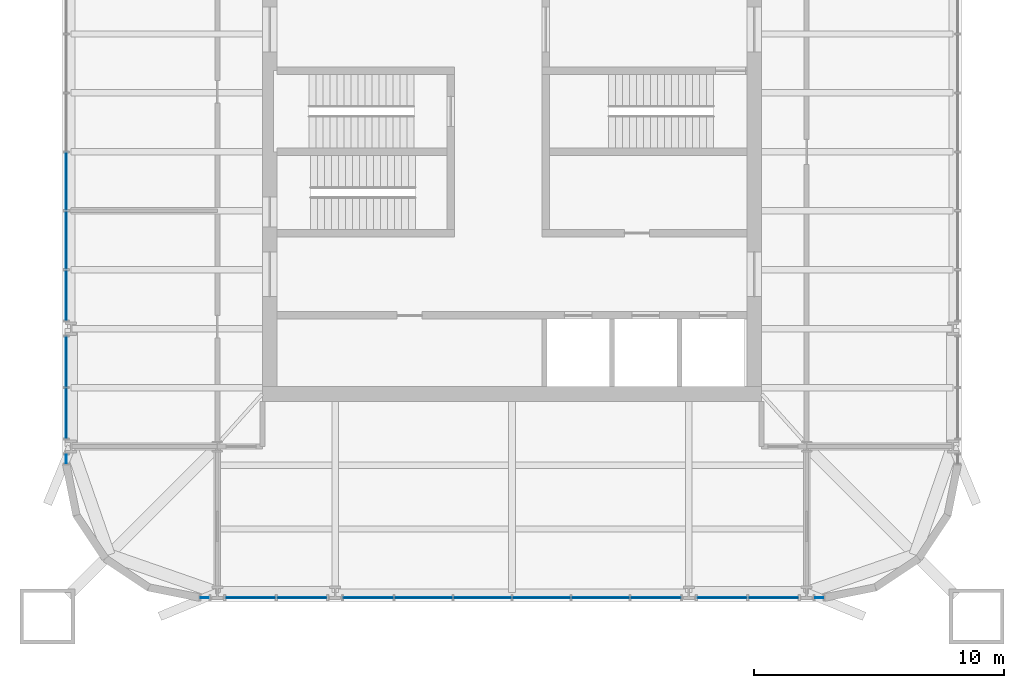
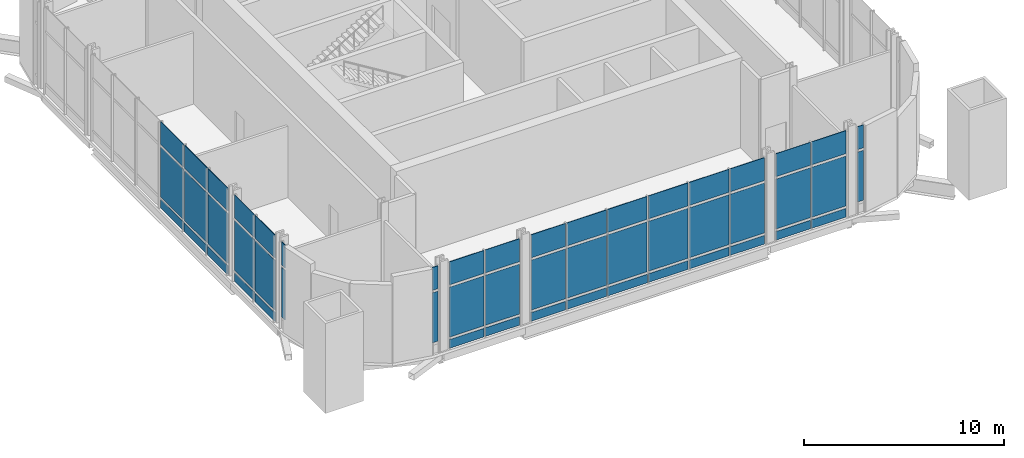
# One storey, part 8 of 17: 51 plates, 8 elements without a shape of their own.
"""IFC4 building model written with IfcOpenShell, lengths in metres."""

from ifc_helpers import new_model, si_unit, direction, frame, origin, origin_2d, place, context, subcontext, project, spatial, rectangle, extrude, material, layer, layer_set, type_object, element, aggregate, save


model = new_model("IFC4")

# Units and contexts
model_context = context("Model", 3, precision=1e-05, world=origin(), true_north=direction((0.0, 1.0)))
body_context = subcontext(model_context, "Body", "Model", "MODEL_VIEW")
ifc_project = project(units=[si_unit("LENGTHUNIT", "METRE"), si_unit("AREAUNIT", "SQUARE_METRE"), si_unit("VOLUMEUNIT", "CUBIC_METRE"), si_unit("PLANEANGLEUNIT", "RADIAN"), si_unit("MASSUNIT", "GRAM", prefix="KILO")], contexts=[model_context])

# Site, building, storey
site_placement = place(None, origin())
site = spatial("IfcSite", under=ifc_project, at=site_placement, CompositionType="ELEMENT")
building_placement = place(site_placement, origin())
building = spatial("IfcBuilding", under=site, at=building_placement, Name="Turquesa Mirador Hotel Tower", CompositionType="ELEMENT")
storey_placement = place(building_placement, frame((0.0, 0.0, 266.699951171875)))
storey = spatial("IfcBuildingStorey", under=building, at=storey_placement, Name="L72", CompositionType="ELEMENT", Elevation=266.699951171875)

# Curtain wall, plates
ifc_material_1 = material(Name="Aluminium extrusion", Category="aluminium")
curtain_wall_type = type_object("IfcCurtainWallType", Name="CW-6 OBSERVATION CURTAIN WALL", PredefinedType="USERDEFINED", material=ifc_material_1)
curtain_wall_1_placement = place(storey_placement, origin())
curtain_wall_1 = element("IfcCurtainWall", 1, at=curtain_wall_1_placement, inside=storey, type_object=curtain_wall_type, Name="CW-6 OBSERVATION CURTAIN WALL L72", ObjectType="CURTAIN WALL", PredefinedType="USERDEFINED")
ifc_material_2 = material(Name="Ceramic-printed spandrel glass on an insulated back pan", Category="glass")
ifc_layer_1 = layer(ifc_material_2, 0.050048828125)
ifc_layer_set_1 = layer_set([ifc_layer_1], Name="CW PANEL SPANDREL CERAMIC")
plate_type_1 = type_object("IfcPlateType", Name="CW PANEL SPANDREL CERAMIC", PredefinedType="CURTAIN_PANEL", material=ifc_layer_set_1)
plate_1_placement = place(storey_placement, frame((37.14990234375, 43.820068359375, 0.0), z_axis=(0.0, 0.0, 1.0), x_axis=(0.0, -1.0, 0.0)))
plate_1 = element("IfcPlate", 2, at=plate_1_placement, type_object=plate_type_1, Name="Panel", PredefinedType="CURTAIN_PANEL", context=body_context, shape_type="SweptSolid", body=[
    extrude(rectangle(XDim=2.294921875, YDim=0.050048828125, at=origin_2d()), origin(), (0.0, 0.0, 1.0), 0.52490234375),
])
plate_2_placement = place(storey_placement, frame((37.14990234375, 41.4599609375, 0.0), z_axis=(0.0, 0.0, 1.0), x_axis=(0.0, -1.0, 0.0)))
plate_2 = element("IfcPlate", 3, at=plate_2_placement, type_object=plate_type_1, Name="Panel", PredefinedType="CURTAIN_PANEL", context=body_context, shape_type="SweptSolid", body=[
    extrude(rectangle(XDim=2.294921875, YDim=0.050048828125, at=origin_2d()), origin(), (0.0, 0.0, 1.0), 0.52490234375),
])
plate_3_placement = place(storey_placement, frame((37.14990234375, 39.25, 0.0), z_axis=(0.0, 0.0, 1.0), x_axis=(0.0, -1.0, 0.0)))
plate_3 = element("IfcPlate", 4, at=plate_3_placement, type_object=plate_type_1, Name="Panel", PredefinedType="CURTAIN_PANEL", context=body_context, shape_type="SweptSolid", body=[
    extrude(rectangle(XDim=1.9951171875, YDim=0.050048828125, at=origin_2d()), origin(), (0.0, 0.0, 1.0), 0.52490234375),
])

curtain_wall_2_placement = place(storey_placement, origin())
curtain_wall_2 = element("IfcCurtainWall", 5, at=curtain_wall_2_placement, inside=storey, type_object=curtain_wall_type, Name="CW-6 OBSERVATION CURTAIN WALL L72", ObjectType="CURTAIN WALL", PredefinedType="USERDEFINED")
plate_4_placement = place(storey_placement, frame((37.14990234375, 36.590087890625, 0.0), z_axis=(0.0, 0.0, 1.0), x_axis=(0.0, -1.0, 0.0)))
plate_4 = element("IfcPlate", 6, at=plate_4_placement, type_object=plate_type_1, Name="Panel", PredefinedType="CURTAIN_PANEL", context=body_context, shape_type="SweptSolid", body=[
    extrude(rectangle(XDim=1.9951171875, YDim=0.050048828125, at=origin_2d()), origin(), (0.0, 0.0, 1.0), 0.52490234375),
])
plate_5_placement = place(storey_placement, frame((37.14990234375, 34.530029296875, 0.0), z_axis=(0.0, 0.0, 1.0), x_axis=(0.0, -1.0, 0.0)))
plate_5 = element("IfcPlate", 7, at=plate_5_placement, type_object=plate_type_1, Name="Panel", PredefinedType="CURTAIN_PANEL", context=body_context, shape_type="SweptSolid", body=[
    extrude(rectangle(XDim=1.9951171875, YDim=0.050048828125, at=origin_2d()), origin(), (0.0, 0.0, 1.0), 0.52490234375),
])

curtain_wall_3_placement = place(storey_placement, origin())
curtain_wall_3 = element("IfcCurtainWall", 8, at=curtain_wall_3_placement, inside=storey, type_object=curtain_wall_type, Name="CW-6 OBSERVATION CURTAIN WALL L72", ObjectType="CURTAIN WALL", PredefinedType="USERDEFINED")
plate_6_placement = place(storey_placement, frame((44.530029296875, 27.14990234375, 0.0), z_axis=(0.0, 0.0, 1.0), x_axis=(1.0, 0.0, 0.0)))
plate_6 = element("IfcPlate", 9, at=plate_6_placement, type_object=plate_type_1, Name="Panel", PredefinedType="CURTAIN_PANEL", context=body_context, shape_type="SweptSolid", body=[
    extrude(rectangle(XDim=1.9951171875, YDim=0.050048828125, at=origin_2d()), origin(), (0.0, 0.0, 1.0), 0.52490234375),
])
plate_7_placement = place(storey_placement, frame((46.590087890625, 27.14990234375, 0.0), z_axis=(0.0, 0.0, 1.0), x_axis=(1.0, 0.0, 0.0)))
plate_7 = element("IfcPlate", 10, at=plate_7_placement, type_object=plate_type_1, Name="Panel", PredefinedType="CURTAIN_PANEL", context=body_context, shape_type="SweptSolid", body=[
    extrude(rectangle(XDim=1.9951171875, YDim=0.050048828125, at=origin_2d()), origin(), (0.0, 0.0, 1.0), 0.52490234375),
])

curtain_wall_4_placement = place(storey_placement, origin())
curtain_wall_4 = element("IfcCurtainWall", 11, at=curtain_wall_4_placement, inside=storey, type_object=curtain_wall_type, Name="CW-6 OBSERVATION CURTAIN WALL L72", ObjectType="CURTAIN WALL", PredefinedType="USERDEFINED")
plate_8_placement = place(storey_placement, frame((49.25, 27.14990234375, 0.0), z_axis=(0.0, 0.0, 1.0), x_axis=(1.0, 0.0, 0.0)))
plate_8 = element("IfcPlate", 12, at=plate_8_placement, type_object=plate_type_1, Name="Panel", PredefinedType="CURTAIN_PANEL", context=body_context, shape_type="SweptSolid", body=[
    extrude(rectangle(XDim=1.9951171875, YDim=0.050048828125, at=origin_2d()), origin(), (0.0, 0.0, 1.0), 0.52490234375),
])
plate_9_placement = place(storey_placement, frame((51.4599609375, 27.14990234375, 0.0), z_axis=(0.0, 0.0, 1.0), x_axis=(1.0, 0.0, 0.0)))
plate_9 = element("IfcPlate", 13, at=plate_9_placement, type_object=plate_type_1, Name="Panel", PredefinedType="CURTAIN_PANEL", context=body_context, shape_type="SweptSolid", body=[
    extrude(rectangle(XDim=2.294921875, YDim=0.050048828125, at=origin_2d()), origin(), (0.0, 0.0, 1.0), 0.52490234375),
])
plate_10_placement = place(storey_placement, frame((53.820068359375, 27.14990234375, 0.0), z_axis=(0.0, 0.0, 1.0), x_axis=(1.0, 0.0, 0.0)))
plate_10 = element("IfcPlate", 14, at=plate_10_placement, type_object=plate_type_1, Name="Panel", PredefinedType="CURTAIN_PANEL", context=body_context, shape_type="SweptSolid", body=[
    extrude(rectangle(XDim=2.294921875, YDim=0.050048828125, at=origin_2d()), origin(), (0.0, 0.0, 1.0), 0.52490234375),
])
plate_11_placement = place(storey_placement, frame((56.179931640625, 27.14990234375, 0.0), z_axis=(0.0, 0.0, 1.0), x_axis=(1.0, 0.0, 0.0)))
plate_11 = element("IfcPlate", 15, at=plate_11_placement, type_object=plate_type_1, Name="Panel", PredefinedType="CURTAIN_PANEL", context=body_context, shape_type="SweptSolid", body=[
    extrude(rectangle(XDim=2.294921875, YDim=0.050048828125, at=origin_2d()), origin(), (0.0, 0.0, 1.0), 0.52490234375),
])
plate_12_placement = place(storey_placement, frame((58.5400390625, 27.14990234375, 0.0), z_axis=(0.0, 0.0, 1.0), x_axis=(1.0, 0.0, 0.0)))
plate_12 = element("IfcPlate", 16, at=plate_12_placement, type_object=plate_type_1, Name="Panel", PredefinedType="CURTAIN_PANEL", context=body_context, shape_type="SweptSolid", body=[
    extrude(rectangle(XDim=2.294921875, YDim=0.050048828125, at=origin_2d()), origin(), (0.0, 0.0, 1.0), 0.52490234375),
])
plate_13_placement = place(storey_placement, frame((60.75, 27.14990234375, 0.0), z_axis=(0.0, 0.0, 1.0), x_axis=(1.0, 0.0, 0.0)))
plate_13 = element("IfcPlate", 17, at=plate_13_placement, type_object=plate_type_1, Name="Panel", PredefinedType="CURTAIN_PANEL", context=body_context, shape_type="SweptSolid", body=[
    extrude(rectangle(XDim=1.9951171875, YDim=0.050048828125, at=origin_2d()), origin(), (0.0, 0.0, 1.0), 0.52490234375),
])

curtain_wall_5_placement = place(storey_placement, origin())
curtain_wall_5 = element("IfcCurtainWall", 18, at=curtain_wall_5_placement, inside=storey, type_object=curtain_wall_type, Name="CW-6 OBSERVATION CURTAIN WALL L72", ObjectType="CURTAIN WALL", PredefinedType="USERDEFINED")
plate_14_placement = place(storey_placement, frame((63.409912109375, 27.14990234375, 0.0), z_axis=(0.0, 0.0, 1.0), x_axis=(1.0, 0.0, 0.0)))
plate_14 = element("IfcPlate", 19, at=plate_14_placement, type_object=plate_type_1, Name="Panel", PredefinedType="CURTAIN_PANEL", context=body_context, shape_type="SweptSolid", body=[
    extrude(rectangle(XDim=1.9951171875, YDim=0.050048828125, at=origin_2d()), origin(), (0.0, 0.0, 1.0), 0.52490234375),
])
plate_15_placement = place(storey_placement, frame((65.469970703125, 27.14990234375, 0.0), z_axis=(0.0, 0.0, 1.0), x_axis=(1.0, 0.0, 0.0)))
plate_15 = element("IfcPlate", 20, at=plate_15_placement, type_object=plate_type_1, Name="Panel", PredefinedType="CURTAIN_PANEL", context=body_context, shape_type="SweptSolid", body=[
    extrude(rectangle(XDim=1.9951171875, YDim=0.050048828125, at=origin_2d()), origin(), (0.0, 0.0, 1.0), 0.52490234375),
])

# Plate
ifc_material_3 = material(Name="Ceramic-fritted laminated glass", Category="glass")
ifc_layer_2 = layer(ifc_material_3, 0.031982421875)
ifc_layer_set_2 = layer_set([ifc_layer_2], Name="CW PANEL VISION FRITTED")
plate_type_2 = type_object("IfcPlateType", Name="CW PANEL VISION FRITTED", PredefinedType="CURTAIN_PANEL", material=ifc_layer_set_2)
plate_16_placement = place(storey_placement, frame((37.14990234375, 43.820068359375, 0.6748046875), z_axis=(0.0, 0.0, 1.0), x_axis=(0.0, -1.0, 0.0)))
plate_16 = element("IfcPlate", 21, at=plate_16_placement, type_object=plate_type_2, Name="Panel", PredefinedType="CURTAIN_PANEL", context=body_context, shape_type="SweptSolid", body=[
    extrude(rectangle(XDim=2.294921875, YDim=0.031982421875, at=origin_2d()), origin(), (0.0, 0.0, 1.0), 3.050048828125),
])

plate_17_placement = place(storey_placement, frame((37.14990234375, 43.820068359375, 3.875), z_axis=(0.0, 0.0, 1.0), x_axis=(0.0, -1.0, 0.0)))
plate_17 = element("IfcPlate", 22, at=plate_17_placement, type_object=plate_type_2, Name="Panel", PredefinedType="CURTAIN_PANEL", context=body_context, shape_type="SweptSolid", body=[
    extrude(rectangle(XDim=2.294921875, YDim=0.031982421875, at=origin_2d()), origin(), (0.0, 0.0, 1.0), 1.405029296875),
])

plate_18_placement = place(storey_placement, frame((37.14990234375, 41.4599609375, 0.6748046875), z_axis=(0.0, 0.0, 1.0), x_axis=(0.0, -1.0, 0.0)))
plate_18 = element("IfcPlate", 23, at=plate_18_placement, type_object=plate_type_2, Name="Panel", PredefinedType="CURTAIN_PANEL", context=body_context, shape_type="SweptSolid", body=[
    extrude(rectangle(XDim=2.294921875, YDim=0.031982421875, at=origin_2d()), origin(), (0.0, 0.0, 1.0), 3.050048828125),
])

plate_19_placement = place(storey_placement, frame((37.14990234375, 41.4599609375, 3.875), z_axis=(0.0, 0.0, 1.0), x_axis=(0.0, -1.0, 0.0)))
plate_19 = element("IfcPlate", 24, at=plate_19_placement, type_object=plate_type_2, Name="Panel", PredefinedType="CURTAIN_PANEL", context=body_context, shape_type="SweptSolid", body=[
    extrude(rectangle(XDim=2.294921875, YDim=0.031982421875, at=origin_2d()), origin(), (0.0, 0.0, 1.0), 1.405029296875),
])

plate_20_placement = place(storey_placement, frame((37.14990234375, 39.25, 0.6748046875), z_axis=(0.0, 0.0, 1.0), x_axis=(0.0, -1.0, 0.0)))
plate_20 = element("IfcPlate", 25, at=plate_20_placement, type_object=plate_type_2, Name="Panel", PredefinedType="CURTAIN_PANEL", context=body_context, shape_type="SweptSolid", body=[
    extrude(rectangle(XDim=1.9951171875, YDim=0.031982421875, at=origin_2d()), origin(), (0.0, 0.0, 1.0), 3.050048828125),
])

plate_21_placement = place(storey_placement, frame((37.14990234375, 39.25, 3.875), z_axis=(0.0, 0.0, 1.0), x_axis=(0.0, -1.0, 0.0)))
plate_21 = element("IfcPlate", 26, at=plate_21_placement, type_object=plate_type_2, Name="Panel", PredefinedType="CURTAIN_PANEL", context=body_context, shape_type="SweptSolid", body=[
    extrude(rectangle(XDim=1.9951171875, YDim=0.031982421875, at=origin_2d()), origin(), (0.0, 0.0, 1.0), 1.405029296875),
])

aggregate(curtain_wall_1, [plate_1, plate_16, plate_17, plate_2, plate_18, plate_19, plate_3, plate_20, plate_21])

plate_22_placement = place(storey_placement, frame((37.14990234375, 36.590087890625, 0.6748046875), z_axis=(0.0, 0.0, 1.0), x_axis=(0.0, -1.0, 0.0)))
plate_22 = element("IfcPlate", 27, at=plate_22_placement, type_object=plate_type_2, Name="Panel", PredefinedType="CURTAIN_PANEL", context=body_context, shape_type="SweptSolid", body=[
    extrude(rectangle(XDim=1.9951171875, YDim=0.031982421875, at=origin_2d()), origin(), (0.0, 0.0, 1.0), 3.050048828125),
])

plate_23_placement = place(storey_placement, frame((37.14990234375, 36.590087890625, 3.875), z_axis=(0.0, 0.0, 1.0), x_axis=(0.0, -1.0, 0.0)))
plate_23 = element("IfcPlate", 28, at=plate_23_placement, type_object=plate_type_2, Name="Panel", PredefinedType="CURTAIN_PANEL", context=body_context, shape_type="SweptSolid", body=[
    extrude(rectangle(XDim=1.9951171875, YDim=0.031982421875, at=origin_2d()), origin(), (0.0, 0.0, 1.0), 1.405029296875),
])

plate_24_placement = place(storey_placement, frame((37.14990234375, 34.530029296875, 0.6748046875), z_axis=(0.0, 0.0, 1.0), x_axis=(0.0, -1.0, 0.0)))
plate_24 = element("IfcPlate", 29, at=plate_24_placement, type_object=plate_type_2, Name="Panel", PredefinedType="CURTAIN_PANEL", context=body_context, shape_type="SweptSolid", body=[
    extrude(rectangle(XDim=1.9951171875, YDim=0.031982421875, at=origin_2d()), origin(), (0.0, 0.0, 1.0), 3.050048828125),
])

plate_25_placement = place(storey_placement, frame((37.14990234375, 34.530029296875, 3.875), z_axis=(0.0, 0.0, 1.0), x_axis=(0.0, -1.0, 0.0)))
plate_25 = element("IfcPlate", 30, at=plate_25_placement, type_object=plate_type_2, Name="Panel", PredefinedType="CURTAIN_PANEL", context=body_context, shape_type="SweptSolid", body=[
    extrude(rectangle(XDim=1.9951171875, YDim=0.031982421875, at=origin_2d()), origin(), (0.0, 0.0, 1.0), 1.405029296875),
])

aggregate(curtain_wall_2, [plate_4, plate_22, plate_23, plate_5, plate_24, plate_25])

# Curtain wall, plates
curtain_wall_6_placement = place(storey_placement, origin())
curtain_wall_6 = element("IfcCurtainWall", 31, at=curtain_wall_6_placement, inside=storey, type_object=curtain_wall_type, Name="CW-6 OBSERVATION CURTAIN WALL L72", ObjectType="CURTAIN WALL", PredefinedType="USERDEFINED")
plate_26_placement = place(storey_placement, frame((37.14990234375, 32.699951171875, 0.6748046875), z_axis=(0.0, 0.0, 1.0), x_axis=(0.0, -1.0, 0.0)))
plate_26 = element("IfcPlate", 32, at=plate_26_placement, type_object=plate_type_2, Name="Panel", PredefinedType="CURTAIN_PANEL", context=body_context, shape_type="SweptSolid", body=[
    extrude(rectangle(XDim=0.3349609375, YDim=0.031982421875, at=origin_2d()), origin(), (0.0, 0.0, 1.0), 3.050048828125),
])
plate_27_placement = place(storey_placement, frame((37.14990234375, 32.699951171875, 3.875), z_axis=(0.0, 0.0, 1.0), x_axis=(0.0, -1.0, 0.0)))
plate_27 = element("IfcPlate", 33, at=plate_27_placement, type_object=plate_type_2, Name="Panel", PredefinedType="CURTAIN_PANEL", context=body_context, shape_type="SweptSolid", body=[
    extrude(rectangle(XDim=0.3349609375, YDim=0.031982421875, at=origin_2d()), origin(), (0.0, 0.0, 1.0), 1.405029296875),
])
aggregate(curtain_wall_6, [plate_26, plate_27])

curtain_wall_7_placement = place(storey_placement, origin())
curtain_wall_7 = element("IfcCurtainWall", 34, at=curtain_wall_7_placement, inside=storey, type_object=curtain_wall_type, Name="CW-6 OBSERVATION CURTAIN WALL L72", ObjectType="CURTAIN WALL", PredefinedType="USERDEFINED")
plate_28_placement = place(storey_placement, frame((42.699951171875, 27.14990234375, 0.6748046875), z_axis=(0.0, 0.0, 1.0), x_axis=(1.0, 0.0, 0.0)))
plate_28 = element("IfcPlate", 35, at=plate_28_placement, type_object=plate_type_2, Name="Panel", PredefinedType="CURTAIN_PANEL", context=body_context, shape_type="SweptSolid", body=[
    extrude(rectangle(XDim=0.3349609375, YDim=0.031982421875, at=origin_2d()), origin(), (0.0, 0.0, 1.0), 3.050048828125),
])
plate_29_placement = place(storey_placement, frame((42.699951171875, 27.14990234375, 3.875), z_axis=(0.0, 0.0, 1.0), x_axis=(1.0, 0.0, 0.0)))
plate_29 = element("IfcPlate", 36, at=plate_29_placement, type_object=plate_type_2, Name="Panel", PredefinedType="CURTAIN_PANEL", context=body_context, shape_type="SweptSolid", body=[
    extrude(rectangle(XDim=0.3349609375, YDim=0.031982421875, at=origin_2d()), origin(), (0.0, 0.0, 1.0), 1.405029296875),
])
aggregate(curtain_wall_7, [plate_28, plate_29])

# Plate
plate_30_placement = place(storey_placement, frame((44.530029296875, 27.14990234375, 0.6748046875), z_axis=(0.0, 0.0, 1.0), x_axis=(1.0, 0.0, 0.0)))
plate_30 = element("IfcPlate", 37, at=plate_30_placement, type_object=plate_type_2, Name="Panel", PredefinedType="CURTAIN_PANEL", context=body_context, shape_type="SweptSolid", body=[
    extrude(rectangle(XDim=1.9951171875, YDim=0.031982421875, at=origin_2d()), origin(), (0.0, 0.0, 1.0), 3.050048828125),
])

plate_31_placement = place(storey_placement, frame((44.530029296875, 27.14990234375, 3.875), z_axis=(0.0, 0.0, 1.0), x_axis=(1.0, 0.0, 0.0)))
plate_31 = element("IfcPlate", 38, at=plate_31_placement, type_object=plate_type_2, Name="Panel", PredefinedType="CURTAIN_PANEL", context=body_context, shape_type="SweptSolid", body=[
    extrude(rectangle(XDim=1.9951171875, YDim=0.031982421875, at=origin_2d()), origin(), (0.0, 0.0, 1.0), 1.405029296875),
])

plate_32_placement = place(storey_placement, frame((46.590087890625, 27.14990234375, 0.6748046875), z_axis=(0.0, 0.0, 1.0), x_axis=(1.0, 0.0, 0.0)))
plate_32 = element("IfcPlate", 39, at=plate_32_placement, type_object=plate_type_2, Name="Panel", PredefinedType="CURTAIN_PANEL", context=body_context, shape_type="SweptSolid", body=[
    extrude(rectangle(XDim=1.9951171875, YDim=0.031982421875, at=origin_2d()), origin(), (0.0, 0.0, 1.0), 3.050048828125),
])

plate_33_placement = place(storey_placement, frame((46.590087890625, 27.14990234375, 3.875), z_axis=(0.0, 0.0, 1.0), x_axis=(1.0, 0.0, 0.0)))
plate_33 = element("IfcPlate", 40, at=plate_33_placement, type_object=plate_type_2, Name="Panel", PredefinedType="CURTAIN_PANEL", context=body_context, shape_type="SweptSolid", body=[
    extrude(rectangle(XDim=1.9951171875, YDim=0.031982421875, at=origin_2d()), origin(), (0.0, 0.0, 1.0), 1.405029296875),
])

aggregate(curtain_wall_3, [plate_6, plate_30, plate_31, plate_7, plate_32, plate_33])

plate_34_placement = place(storey_placement, frame((49.25, 27.14990234375, 0.6748046875), z_axis=(0.0, 0.0, 1.0), x_axis=(1.0, 0.0, 0.0)))
plate_34 = element("IfcPlate", 41, at=plate_34_placement, type_object=plate_type_2, Name="Panel", PredefinedType="CURTAIN_PANEL", context=body_context, shape_type="SweptSolid", body=[
    extrude(rectangle(XDim=1.9951171875, YDim=0.031982421875, at=origin_2d()), origin(), (0.0, 0.0, 1.0), 3.050048828125),
])

plate_35_placement = place(storey_placement, frame((49.25, 27.14990234375, 3.875), z_axis=(0.0, 0.0, 1.0), x_axis=(1.0, 0.0, 0.0)))
plate_35 = element("IfcPlate", 42, at=plate_35_placement, type_object=plate_type_2, Name="Panel", PredefinedType="CURTAIN_PANEL", context=body_context, shape_type="SweptSolid", body=[
    extrude(rectangle(XDim=1.9951171875, YDim=0.031982421875, at=origin_2d()), origin(), (0.0, 0.0, 1.0), 1.405029296875),
])

plate_36_placement = place(storey_placement, frame((51.4599609375, 27.14990234375, 0.6748046875), z_axis=(0.0, 0.0, 1.0), x_axis=(1.0, 0.0, 0.0)))
plate_36 = element("IfcPlate", 43, at=plate_36_placement, type_object=plate_type_2, Name="Panel", PredefinedType="CURTAIN_PANEL", context=body_context, shape_type="SweptSolid", body=[
    extrude(rectangle(XDim=2.294921875, YDim=0.031982421875, at=origin_2d()), origin(), (0.0, 0.0, 1.0), 3.050048828125),
])

plate_37_placement = place(storey_placement, frame((51.4599609375, 27.14990234375, 3.875), z_axis=(0.0, 0.0, 1.0), x_axis=(1.0, 0.0, 0.0)))
plate_37 = element("IfcPlate", 44, at=plate_37_placement, type_object=plate_type_2, Name="Panel", PredefinedType="CURTAIN_PANEL", context=body_context, shape_type="SweptSolid", body=[
    extrude(rectangle(XDim=2.294921875, YDim=0.031982421875, at=origin_2d()), origin(), (0.0, 0.0, 1.0), 1.405029296875),
])

plate_38_placement = place(storey_placement, frame((53.820068359375, 27.14990234375, 0.6748046875), z_axis=(0.0, 0.0, 1.0), x_axis=(1.0, 0.0, 0.0)))
plate_38 = element("IfcPlate", 45, at=plate_38_placement, type_object=plate_type_2, Name="Panel", PredefinedType="CURTAIN_PANEL", context=body_context, shape_type="SweptSolid", body=[
    extrude(rectangle(XDim=2.294921875, YDim=0.031982421875, at=origin_2d()), origin(), (0.0, 0.0, 1.0), 3.050048828125),
])

plate_39_placement = place(storey_placement, frame((53.820068359375, 27.14990234375, 3.875), z_axis=(0.0, 0.0, 1.0), x_axis=(1.0, 0.0, 0.0)))
plate_39 = element("IfcPlate", 46, at=plate_39_placement, type_object=plate_type_2, Name="Panel", PredefinedType="CURTAIN_PANEL", context=body_context, shape_type="SweptSolid", body=[
    extrude(rectangle(XDim=2.294921875, YDim=0.031982421875, at=origin_2d()), origin(), (0.0, 0.0, 1.0), 1.405029296875),
])

plate_40_placement = place(storey_placement, frame((56.179931640625, 27.14990234375, 0.6748046875), z_axis=(0.0, 0.0, 1.0), x_axis=(1.0, 0.0, 0.0)))
plate_40 = element("IfcPlate", 47, at=plate_40_placement, type_object=plate_type_2, Name="Panel", PredefinedType="CURTAIN_PANEL", context=body_context, shape_type="SweptSolid", body=[
    extrude(rectangle(XDim=2.294921875, YDim=0.031982421875, at=origin_2d()), origin(), (0.0, 0.0, 1.0), 3.050048828125),
])

plate_41_placement = place(storey_placement, frame((56.179931640625, 27.14990234375, 3.875), z_axis=(0.0, 0.0, 1.0), x_axis=(1.0, 0.0, 0.0)))
plate_41 = element("IfcPlate", 48, at=plate_41_placement, type_object=plate_type_2, Name="Panel", PredefinedType="CURTAIN_PANEL", context=body_context, shape_type="SweptSolid", body=[
    extrude(rectangle(XDim=2.294921875, YDim=0.031982421875, at=origin_2d()), origin(), (0.0, 0.0, 1.0), 1.405029296875),
])

plate_42_placement = place(storey_placement, frame((58.5400390625, 27.14990234375, 0.6748046875), z_axis=(0.0, 0.0, 1.0), x_axis=(1.0, 0.0, 0.0)))
plate_42 = element("IfcPlate", 49, at=plate_42_placement, type_object=plate_type_2, Name="Panel", PredefinedType="CURTAIN_PANEL", context=body_context, shape_type="SweptSolid", body=[
    extrude(rectangle(XDim=2.294921875, YDim=0.031982421875, at=origin_2d()), origin(), (0.0, 0.0, 1.0), 3.050048828125),
])

plate_43_placement = place(storey_placement, frame((58.5400390625, 27.14990234375, 3.875), z_axis=(0.0, 0.0, 1.0), x_axis=(1.0, 0.0, 0.0)))
plate_43 = element("IfcPlate", 50, at=plate_43_placement, type_object=plate_type_2, Name="Panel", PredefinedType="CURTAIN_PANEL", context=body_context, shape_type="SweptSolid", body=[
    extrude(rectangle(XDim=2.294921875, YDim=0.031982421875, at=origin_2d()), origin(), (0.0, 0.0, 1.0), 1.405029296875),
])

plate_44_placement = place(storey_placement, frame((60.75, 27.14990234375, 0.6748046875), z_axis=(0.0, 0.0, 1.0), x_axis=(1.0, 0.0, 0.0)))
plate_44 = element("IfcPlate", 51, at=plate_44_placement, type_object=plate_type_2, Name="Panel", PredefinedType="CURTAIN_PANEL", context=body_context, shape_type="SweptSolid", body=[
    extrude(rectangle(XDim=1.9951171875, YDim=0.031982421875, at=origin_2d()), origin(), (0.0, 0.0, 1.0), 3.050048828125),
])

plate_45_placement = place(storey_placement, frame((60.75, 27.14990234375, 3.875), z_axis=(0.0, 0.0, 1.0), x_axis=(1.0, 0.0, 0.0)))
plate_45 = element("IfcPlate", 52, at=plate_45_placement, type_object=plate_type_2, Name="Panel", PredefinedType="CURTAIN_PANEL", context=body_context, shape_type="SweptSolid", body=[
    extrude(rectangle(XDim=1.9951171875, YDim=0.031982421875, at=origin_2d()), origin(), (0.0, 0.0, 1.0), 1.405029296875),
])

aggregate(curtain_wall_4, [plate_8, plate_34, plate_35, plate_9, plate_36, plate_37, plate_10, plate_38, plate_39, plate_11, plate_40, plate_41, plate_12, plate_42, plate_43, plate_13, plate_44, plate_45])

plate_46_placement = place(storey_placement, frame((63.409912109375, 27.14990234375, 0.6748046875), z_axis=(0.0, 0.0, 1.0), x_axis=(1.0, 0.0, 0.0)))
plate_46 = element("IfcPlate", 53, at=plate_46_placement, type_object=plate_type_2, Name="Panel", PredefinedType="CURTAIN_PANEL", context=body_context, shape_type="SweptSolid", body=[
    extrude(rectangle(XDim=1.9951171875, YDim=0.031982421875, at=origin_2d()), origin(), (0.0, 0.0, 1.0), 3.050048828125),
])

plate_47_placement = place(storey_placement, frame((63.409912109375, 27.14990234375, 3.875), z_axis=(0.0, 0.0, 1.0), x_axis=(1.0, 0.0, 0.0)))
plate_47 = element("IfcPlate", 54, at=plate_47_placement, type_object=plate_type_2, Name="Panel", PredefinedType="CURTAIN_PANEL", context=body_context, shape_type="SweptSolid", body=[
    extrude(rectangle(XDim=1.9951171875, YDim=0.031982421875, at=origin_2d()), origin(), (0.0, 0.0, 1.0), 1.405029296875),
])

plate_48_placement = place(storey_placement, frame((65.469970703125, 27.14990234375, 0.6748046875), z_axis=(0.0, 0.0, 1.0), x_axis=(1.0, 0.0, 0.0)))
plate_48 = element("IfcPlate", 55, at=plate_48_placement, type_object=plate_type_2, Name="Panel", PredefinedType="CURTAIN_PANEL", context=body_context, shape_type="SweptSolid", body=[
    extrude(rectangle(XDim=1.9951171875, YDim=0.031982421875, at=origin_2d()), origin(), (0.0, 0.0, 1.0), 3.050048828125),
])

plate_49_placement = place(storey_placement, frame((65.469970703125, 27.14990234375, 3.875), z_axis=(0.0, 0.0, 1.0), x_axis=(1.0, 0.0, 0.0)))
plate_49 = element("IfcPlate", 56, at=plate_49_placement, type_object=plate_type_2, Name="Panel", PredefinedType="CURTAIN_PANEL", context=body_context, shape_type="SweptSolid", body=[
    extrude(rectangle(XDim=1.9951171875, YDim=0.031982421875, at=origin_2d()), origin(), (0.0, 0.0, 1.0), 1.405029296875),
])

aggregate(curtain_wall_5, [plate_14, plate_46, plate_47, plate_15, plate_48, plate_49])

# Curtain wall, plates
curtain_wall_8_placement = place(storey_placement, origin())
curtain_wall_8 = element("IfcCurtainWall", 57, at=curtain_wall_8_placement, inside=storey, type_object=curtain_wall_type, Name="CW-6 OBSERVATION CURTAIN WALL L72", ObjectType="CURTAIN WALL", PredefinedType="USERDEFINED")
plate_50_placement = place(storey_placement, frame((67.300048828125, 27.14990234375, 0.6748046875), z_axis=(0.0, 0.0, 1.0), x_axis=(1.0, 0.0, 0.0)))
plate_50 = element("IfcPlate", 58, at=plate_50_placement, type_object=plate_type_2, Name="Panel", PredefinedType="CURTAIN_PANEL", context=body_context, shape_type="SweptSolid", body=[
    extrude(rectangle(XDim=0.3349609375, YDim=0.031982421875, at=origin_2d()), origin(), (0.0, 0.0, 1.0), 3.050048828125),
])
plate_51_placement = place(storey_placement, frame((67.300048828125, 27.14990234375, 3.875), z_axis=(0.0, 0.0, 1.0), x_axis=(1.0, 0.0, 0.0)))
plate_51 = element("IfcPlate", 59, at=plate_51_placement, type_object=plate_type_2, Name="Panel", PredefinedType="CURTAIN_PANEL", context=body_context, shape_type="SweptSolid", body=[
    extrude(rectangle(XDim=0.3349609375, YDim=0.031982421875, at=origin_2d()), origin(), (0.0, 0.0, 1.0), 1.405029296875),
])
aggregate(curtain_wall_8, [plate_50, plate_51])

save(model, "model.ifc")
